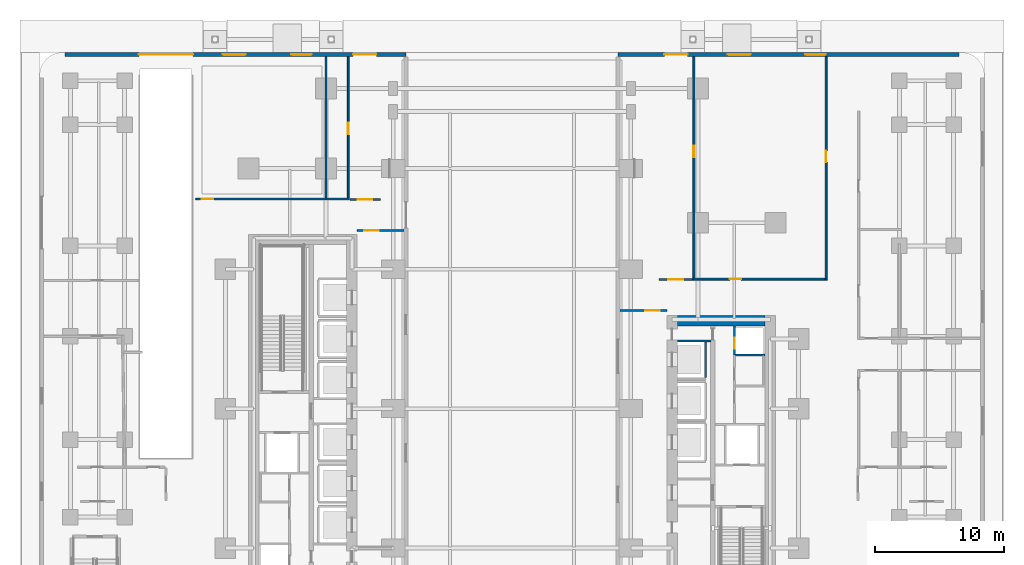
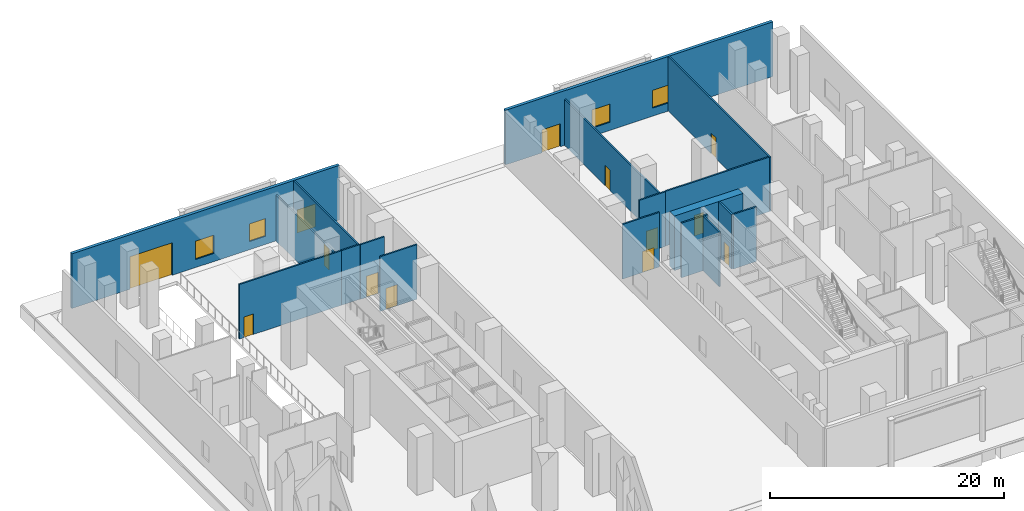
# One storey, part 12 of 22: 18 walls, 13 doors, 4 windows, 17 openings.
"""IFC4 building model written with IfcOpenShell, lengths in metres."""

from ifc_helpers import new_model, si_unit, direction, frame, frame_2d, origin, place, context, subcontext, project, spatial, rectangle, extrude, material, layer, layer_set, type_object, element, fill, save


model = new_model("IFC4")

# Units and contexts
model_context = context("Model", 3, precision=1e-05, world=origin(), true_north=direction((0.0, 1.0)))
body_context = subcontext(model_context, "Body", "Model", "MODEL_VIEW")
ifc_project = project(units=[si_unit("LENGTHUNIT", "METRE"), si_unit("AREAUNIT", "SQUARE_METRE"), si_unit("VOLUMEUNIT", "CUBIC_METRE"), si_unit("PLANEANGLEUNIT", "RADIAN"), si_unit("MASSUNIT", "GRAM", prefix="KILO")], contexts=[model_context])

# Site, building, storey
site_placement = place(None, origin())
site = spatial("IfcSite", under=ifc_project, at=site_placement, CompositionType="ELEMENT")
building_placement = place(site_placement, origin())
building = spatial("IfcBuilding", under=site, at=building_placement, Name="Khairoan Windgate Tower", CompositionType="ELEMENT")
storey_placement = place(building_placement, origin())
storey = spatial("IfcBuildingStorey", under=building, at=storey_placement, Name="L01", CompositionType="ELEMENT", Elevation=0.0)

# Walls
ifc_material_1 = material(Name="Concrete C40/50", Category="concrete")
ifc_layer_1 = layer(ifc_material_1, 0.159912109375, Name="Concrete C40/50")
ifc_layer_set_1 = layer_set([ifc_layer_1], Name="Concrete C40/50")
wall_type_1 = type_object("IfcWallType", Name="Core and Hoistway Enclosure Wall", PredefinedType="STANDARD", material=ifc_layer_set_1)
wall_1_placement = place(storey_placement, frame((14.989990234375, 2.39990234375, 0.0), z_axis=(0.0, 0.0, 1.0), x_axis=(0.0, 1.0, 0.0)))
element("IfcWall", 1, at=wall_1_placement, inside=storey, type_object=wall_type_1, Name="L01 Lift PL7 Hoistway Back Wall", PredefinedType="STANDARD", context=body_context, shape_type="SweptSolid", body=[
    extrude(rectangle(XDim=2.800048828125, YDim=0.159912109375, at=frame_2d((1.39990234375, 0.0))), origin(), (0.0, 0.0, 1.0), 5.699951171875),
])
wall_2_placement = place(storey_placement, frame((12.800048828125, 5.25, 0.0), z_axis=(0.0, 0.0, 1.0), x_axis=(1.0, 0.0, 0.0)))
element("IfcWall", 2, at=wall_2_placement, inside=storey, type_object=wall_type_1, Name="L01 Core Shaft Wall SW-ESV-L01", PredefinedType="STANDARD", context=body_context, shape_type="SweptSolid", body=[
    extrude(rectangle(XDim=2.599853515625, YDim=0.159912109375, at=frame_2d((1.2998046875, 0.0))), origin(), (0.0, 0.0, 1.0), 5.699951171875),
])

# Wall, openings, doors, windows
ifc_material_2 = material(Name="Precast Concrete C40/50", Category="concrete")
ifc_layer_2 = layer(ifc_material_2, 0.300048828125, Name="Precast Concrete C40/50")
ifc_layer_set_2 = layer_set([ifc_layer_2], Name="Precast Concrete C40/50")
wall_type_2 = type_object("IfcWallType", Name="Insulated Precast Spandrel Facade Wall EW1 300mm", PredefinedType="STANDARD", material=ifc_layer_set_2)
wall_3_placement = place(storey_placement, frame((-34.60009765625, 27.419921875, 0.0), z_axis=(0.0, 0.0, 1.0), x_axis=(1.0, 0.0, 0.0)))
wall_3 = element("IfcWall", 3, at=wall_3_placement, inside=storey, type_object=wall_type_2, Name="Ground Facade Wall EW-L01-WN", PredefinedType="STANDARD", context=body_context, shape_type="SweptSolid", body=[
    extrude(rectangle(XDim=26.400146484375, YDim=0.300048828125, at=frame_2d((13.2001953125, 0.0))), origin(), (0.0, 0.0, 1.0), 5.699951171875),
])
opening_1_placement = place(wall_3_placement, frame((22.300048828125, 0.0, 0.0)))
opening_1 = element("IfcOpeningElement", 4, at=opening_1_placement, cuts=wall_3, Name="Opening ED-06", PredefinedType="OPENING", context=body_context, shape_type="SweptSolid", body=[
    extrude(rectangle(XDim=1.800048828125, YDim=2.39990234375, at=frame_2d((0.89990234375, 1.199951171875))), frame((0.0, 0.159912109375, 0.0), z_axis=(0.0, -1.0, 0.0), x_axis=(1.0, 0.0, 0.0)), (0.0, 0.0, 1.0), 0.320068359375),
])
opening_2_placement = place(wall_3_placement, frame((5.699951171875, 0.0, 0.0)))
opening_2 = element("IfcOpeningElement", 5, at=opening_2_placement, cuts=wall_3, Name="Opening VG-01", PredefinedType="OPENING", context=body_context, shape_type="SweptSolid", body=[
    extrude(rectangle(XDim=4.199951171875, YDim=3.39990234375, at=frame_2d((2.10009765625, 1.699951171875))), frame((0.0, 0.159912109375, 0.0), z_axis=(0.0, -1.0, 0.0), x_axis=(1.0, 0.0, 0.0)), (0.0, 0.0, 1.0), 0.320068359375),
])
opening_3_placement = place(wall_3_placement, frame((12.199951171875, 0.0, 0.85009765625)))
opening_3 = element("IfcOpeningElement", 6, at=opening_3_placement, cuts=wall_3, Name="Opening WN-03", PredefinedType="OPENING", context=body_context, shape_type="SweptSolid", body=[
    extrude(rectangle(XDim=1.800048828125, YDim=1.89990234375, at=frame_2d((0.89990234375, 0.949951171875))), frame((0.0, 0.159912109375, 0.0), z_axis=(0.0, -1.0, 0.0), x_axis=(1.0, 0.0, 0.0)), (0.0, 0.0, 1.0), 0.320068359375),
])
opening_4_placement = place(wall_3_placement, frame((17.5, 0.0, 0.85009765625)))
opening_4 = element("IfcOpeningElement", 7, at=opening_4_placement, cuts=wall_3, Name="Opening WN-04", PredefinedType="OPENING", context=body_context, shape_type="SweptSolid", body=[
    extrude(rectangle(XDim=1.60009765625, YDim=1.85009765625, at=frame_2d((0.800048828125, 0.925048828125))), frame((0.0, 0.159912109375, 0.0), z_axis=(0.0, -1.0, 0.0), x_axis=(1.0, 0.0, 0.0)), (0.0, 0.0, 1.0), 0.320068359375),
])
ifc_material_3 = material(Name="Anodised Bronze Aluminium 6063-T6", Category="aluminium")
door_type_1 = type_object("IfcDoorType", Name="Double Riverfront Final Exit Door ED-1800", OperationType="DOUBLE_DOOR_SINGLE_SWING", PredefinedType="DOOR", material=ifc_material_3)
door_1_placement = place(opening_1_placement, origin())
door_1 = element("IfcDoor", 8, at=door_1_placement, inside=storey, type_object=door_type_1, Name="North-West Riverfront Final Exit Door ED-06", OperationType="DOUBLE_DOOR_SINGLE_SWING", OverallHeight=2.39990234375, OverallWidth=1.800048828125, PredefinedType="DOOR", context=body_context, shape_type="SweptSolid", body=[
    extrude(rectangle(XDim=1.800048828125, YDim=2.39990234375, at=frame_2d((0.89990234375, 1.199951171875))), frame((0.0, 0.02490234375, 0.0), z_axis=(0.0, -1.0, 0.0), x_axis=(1.0, 0.0, 0.0)), (0.0, 0.0, 1.0), 0.050048828125),
])
fill(opening_1, door_1)
ifc_material_4 = material(Name="Anodised Bronze Aluminium 6063-T6", Category="aluminium")
door_type_2 = type_object("IfcDoorType", Name="Vehicular Ramp Sliding Gate VG-01", OperationType="SLIDING_TO_LEFT", PredefinedType="GATE", material=ifc_material_4)
door_2_placement = place(opening_2_placement, origin())
door_2 = element("IfcDoor", 9, at=door_2_placement, inside=storey, type_object=door_type_2, Name="Car Park Ramp Street Gate VG-01", OperationType="SLIDING_TO_LEFT", OverallHeight=3.39990234375, OverallWidth=4.199951171875, PredefinedType="GATE", context=body_context, shape_type="SweptSolid", body=[
    extrude(rectangle(XDim=4.199951171875, YDim=3.39990234375, at=frame_2d((2.10009765625, 1.699951171875))), frame((0.0, 0.02490234375, 0.0), z_axis=(0.0, -1.0, 0.0), x_axis=(1.0, 0.0, 0.0)), (0.0, 0.0, 1.0), 0.050048828125),
])
fill(opening_2, door_2)
ifc_material_5 = material(Name="Low-E Solar Control Laminated Glass", Category="glass")
window_type_1 = type_object("IfcWindowType", Name="Window WN-03 1800x1900", PartitioningType="DOUBLE_PANEL_VERTICAL", PredefinedType="WINDOW", material=ifc_material_5)
window_1_placement = place(opening_3_placement, origin())
window_1 = element("IfcWindow", 10, at=window_1_placement, inside=storey, type_object=window_type_1, Name="L01 Facade Window 03", OverallHeight=1.89990234375, OverallWidth=1.800048828125, PartitioningType="SINGLE_PANEL", PredefinedType="WINDOW", context=body_context, shape_type="SweptSolid", body=[
    extrude(rectangle(XDim=1.800048828125, YDim=1.89990234375, at=frame_2d((0.89990234375, 0.949951171875))), frame((0.0, 0.030029296875, 0.0), z_axis=(0.0, -1.0, 0.0), x_axis=(1.0, 0.0, 0.0)), (0.0, 0.0, 1.0), 0.06005859375),
])
fill(opening_3, window_1)
ifc_material_6 = material(Name="Low-E Solar Control Laminated Glass", Category="glass")
window_type_2 = type_object("IfcWindowType", Name="Window WN-04 1600x1850", PartitioningType="SINGLE_PANEL", PredefinedType="WINDOW", material=ifc_material_6)
window_2_placement = place(opening_4_placement, origin())
window_2 = element("IfcWindow", 11, at=window_2_placement, inside=storey, type_object=window_type_2, Name="L01 Facade Window 04", OverallHeight=1.85009765625, OverallWidth=1.60009765625, PartitioningType="SINGLE_PANEL", PredefinedType="WINDOW", context=body_context, shape_type="SweptSolid", body=[
    extrude(rectangle(XDim=1.60009765625, YDim=1.85009765625, at=frame_2d((0.800048828125, 0.925048828125))), frame((0.0, 0.030029296875, 0.0), z_axis=(0.0, -1.0, 0.0), x_axis=(1.0, 0.0, 0.0)), (0.0, 0.0, 1.0), 0.06005859375),
])
fill(opening_4, window_2)

# Wall, openings, door, windows
wall_4_placement = place(storey_placement, frame((8.199951171875, 27.419921875, 0.0), z_axis=(0.0, 0.0, 1.0), x_axis=(1.0, 0.0, 0.0)))
wall_4 = element("IfcWall", 12, at=wall_4_placement, inside=storey, type_object=wall_type_2, Name="Ground Facade Wall EW-L01-EN", PredefinedType="STANDARD", context=body_context, shape_type="SweptSolid", body=[
    extrude(rectangle(XDim=26.400146484375, YDim=0.300048828125, at=frame_2d((13.2001953125, 0.0))), origin(), (0.0, 0.0, 1.0), 5.699951171875),
])
opening_5_placement = place(wall_4_placement, frame((3.60009765625, 0.0, 0.0)))
opening_5 = element("IfcOpeningElement", 13, at=opening_5_placement, cuts=wall_4, Name="Opening ED-05", PredefinedType="OPENING", context=body_context, shape_type="SweptSolid", body=[
    extrude(rectangle(XDim=1.800048828125, YDim=2.39990234375, at=frame_2d((0.89990234375, 1.199951171875))), frame((0.0, 0.159912109375, 0.0), z_axis=(0.0, -1.0, 0.0), x_axis=(1.0, 0.0, 0.0)), (0.0, 0.0, 1.0), 0.320068359375),
])
opening_6_placement = place(wall_4_placement, frame((8.5, 0.0, 0.85009765625)))
opening_6 = element("IfcOpeningElement", 14, at=opening_6_placement, cuts=wall_4, Name="Opening WN-03", PredefinedType="OPENING", context=body_context, shape_type="SweptSolid", body=[
    extrude(rectangle(XDim=1.800048828125, YDim=1.89990234375, at=frame_2d((0.89990234375, 0.949951171875))), frame((0.0, 0.159912109375, 0.0), z_axis=(0.0, -1.0, 0.0), x_axis=(1.0, 0.0, 0.0)), (0.0, 0.0, 1.0), 0.320068359375),
])
opening_7_placement = place(wall_4_placement, frame((14.5, 0.0, 0.85009765625)))
opening_7 = element("IfcOpeningElement", 15, at=opening_7_placement, cuts=wall_4, Name="Opening WN-04", PredefinedType="OPENING", context=body_context, shape_type="SweptSolid", body=[
    extrude(rectangle(XDim=1.60009765625, YDim=1.85009765625, at=frame_2d((0.800048828125, 0.925048828125))), frame((0.0, 0.159912109375, 0.0), z_axis=(0.0, -1.0, 0.0), x_axis=(1.0, 0.0, 0.0)), (0.0, 0.0, 1.0), 0.320068359375),
])
door_3_placement = place(opening_5_placement, origin())
door_3 = element("IfcDoor", 16, at=door_3_placement, inside=storey, type_object=door_type_1, Name="North-East Riverfront Final Exit Door ED-05", OperationType="DOUBLE_DOOR_SINGLE_SWING", OverallHeight=2.39990234375, OverallWidth=1.800048828125, PredefinedType="DOOR", context=body_context, shape_type="SweptSolid", body=[
    extrude(rectangle(XDim=1.800048828125, YDim=2.39990234375, at=frame_2d((0.89990234375, 1.199951171875))), frame((0.0, 0.02490234375, 0.0), z_axis=(0.0, -1.0, 0.0), x_axis=(1.0, 0.0, 0.0)), (0.0, 0.0, 1.0), 0.050048828125),
])
fill(opening_5, door_3)
window_3_placement = place(opening_6_placement, origin())
window_3 = element("IfcWindow", 17, at=window_3_placement, inside=storey, type_object=window_type_1, Name="L01 Facade Window 11", OverallHeight=1.89990234375, OverallWidth=1.800048828125, PartitioningType="SINGLE_PANEL", PredefinedType="WINDOW", context=body_context, shape_type="SweptSolid", body=[
    extrude(rectangle(XDim=1.800048828125, YDim=1.89990234375, at=frame_2d((0.89990234375, 0.949951171875))), frame((0.0, 0.030029296875, 0.0), z_axis=(0.0, -1.0, 0.0), x_axis=(1.0, 0.0, 0.0)), (0.0, 0.0, 1.0), 0.06005859375),
])
fill(opening_6, window_3)
window_4_placement = place(opening_7_placement, origin())
window_4 = element("IfcWindow", 18, at=window_4_placement, inside=storey, type_object=window_type_2, Name="L01 Facade Window 12", OverallHeight=1.85009765625, OverallWidth=1.60009765625, PartitioningType="SINGLE_PANEL", PredefinedType="WINDOW", context=body_context, shape_type="SweptSolid", body=[
    extrude(rectangle(XDim=1.60009765625, YDim=1.85009765625, at=frame_2d((0.800048828125, 0.925048828125))), frame((0.0, 0.030029296875, 0.0), z_axis=(0.0, -1.0, 0.0), x_axis=(1.0, 0.0, 0.0)), (0.0, 0.0, 1.0), 0.06005859375),
])
fill(opening_7, window_4)

# Wall
ifc_material_7 = material(Name="Acoustic Fire-Rated Gypsum Partition", Category="gypsum")
ifc_layer_3 = layer(ifc_material_7, 0.139892578125, Name="Acoustic Fire-Rated Gypsum Partition")
ifc_layer_set_3 = layer_set([ifc_layer_3], Name="Acoustic Fire-Rated Gypsum Partition")
wall_type_3 = type_object("IfcWallType", Name="Inter-Tenancy Compartment Wall", PredefinedType="PARTITIONING", material=ifc_layer_set_3)
wall_5_placement = place(storey_placement, frame((-14.39990234375, 16.31494140625, 0.0), z_axis=(0.0, 0.0, 1.0), x_axis=(0.0, 1.0, 0.0)))
element("IfcWall", 19, at=wall_5_placement, inside=storey, type_object=wall_type_3, Name="L01 Interior Partition 023", PredefinedType="PARTITIONING", context=body_context, shape_type="SweptSolid", body=[
    extrude(rectangle(XDim=10.955078125, YDim=0.139892578125, at=frame_2d((5.4775390625, 0.0))), origin(), (0.0, 0.0, 1.0), 4.800048828125),
])

# Wall, opening, door
ifc_material_8 = material(Name="Concrete C40/50", Category="concrete")
ifc_layer_4 = layer(ifc_material_8, 0.159912109375, Name="Concrete C40/50")
ifc_layer_set_4 = layer_set([ifc_layer_4], Name="Concrete C40/50")
wall_type_4 = type_object("IfcWallType", Name="Plant and Refuge Compartment Wall", PredefinedType="PARTITIONING", material=ifc_layer_set_4)
wall_6_placement = place(storey_placement, frame((17.22998046875, 4.169921875, 0.0), z_axis=(0.0, 0.0, 1.0), x_axis=(0.0, 1.0, 0.0)))
wall_6 = element("IfcWall", 20, at=wall_6_placement, inside=storey, type_object=wall_type_4, Name="L01 Interior Partition 006", PredefinedType="PARTITIONING", context=body_context, shape_type="SweptSolid", body=[
    extrude(rectangle(XDim=2.22998046875, YDim=0.159912109375, at=frame_2d((1.114990234375, 0.0))), origin(), (0.0, 0.0, 1.0), 5.699951171875),
])
opening_8_placement = place(wall_6_placement, frame((0.4599609375, 0.0, 0.0)))
opening_8 = element("IfcOpeningElement", 21, at=opening_8_placement, cuts=wall_6, Name="Opening FD-SRV", PredefinedType="OPENING", context=body_context, shape_type="SweptSolid", body=[
    extrude(rectangle(XDim=0.85009765625, YDim=2.10009765625, at=frame_2d((0.425048828125, 1.050048828125))), frame((0.0, 0.08984375, 0.0), z_axis=(0.0, -1.0, 0.0), x_axis=(1.0, 0.0, 0.0)), (0.0, 0.0, 1.0), 0.179931640625),
])
ifc_material_9 = material(Name="Steel S355", Category="steel")
door_type_3 = type_object("IfcDoorType", Name="Core Service and Riser Fire Door FD-SRV 850x2100", OperationType="NOTDEFINED", PredefinedType="DOOR", material=ifc_material_9)
door_4_placement = place(opening_8_placement, origin())
door_4 = element("IfcDoor", 22, at=door_4_placement, inside=storey, type_object=door_type_3, Name="L01 L01-21-L01-22 Door", OperationType="SINGLE_SWING_LEFT", OverallHeight=2.10009765625, OverallWidth=0.85009765625, PredefinedType="DOOR", context=body_context, shape_type="SweptSolid", body=[
    extrude(rectangle(XDim=0.85009765625, YDim=2.10009765625, at=frame_2d((0.425048828125, 1.050048828125))), frame((0.0, 0.02490234375, 0.0), z_axis=(0.0, -1.0, 0.0), x_axis=(1.0, 0.0, 0.0)), (0.0, 0.0, 1.0), 0.050048828125),
])
fill(opening_8, door_4)

# Wall
wall_7_placement = place(storey_placement, frame((17.31005859375, 4.169921875, 0.0), z_axis=(0.0, 0.0, 1.0), x_axis=(1.0, 0.0, 0.0)))
element("IfcWall", 23, at=wall_7_placement, inside=storey, type_object=wall_type_4, Name="L01 Interior Partition 009", PredefinedType="PARTITIONING", context=body_context, shape_type="SweptSolid", body=[
    extrude(rectangle(XDim=2.2900390625, YDim=0.159912109375, at=frame_2d((1.14501953125, 0.0))), origin(), (0.0, 0.0, 1.0), 5.699951171875),
])

# Wall, opening, door
ifc_material_10 = material(Name="Acoustic Fire-Rated Gypsum Partition", Category="gypsum")
ifc_layer_5 = layer(ifc_material_10, 0.14990234375, Name="Acoustic Fire-Rated Gypsum Partition")
ifc_layer_set_5 = layer_set([ifc_layer_5], Name="Acoustic Fire-Rated Gypsum Partition")
wall_type_5 = type_object("IfcWallType", Name="Rated Corridor Partition Wall", PredefinedType="PARTITIONING", material=ifc_layer_set_5)
wall_8_placement = place(storey_placement, frame((-12.0, 13.800048828125, 0.0), z_axis=(0.0, 0.0, 1.0), x_axis=(1.0, 0.0, 0.0)))
wall_8 = element("IfcWall", 24, at=wall_8_placement, inside=storey, type_object=wall_type_5, Name="L01 Protected Exit Wall PW-EX-W1-L01", PredefinedType="PARTITIONING", context=body_context, shape_type="SweptSolid", body=[
    extrude(rectangle(XDim=3.64990234375, YDim=0.14990234375, at=frame_2d((1.824951171875, 0.0))), origin(), (0.0, 0.0, 1.0), 5.699951171875),
])
opening_9_placement = place(wall_8_placement, frame((0.550048828125, 0.0, 0.0)))
opening_9 = element("IfcOpeningElement", 25, at=opening_9_placement, cuts=wall_8, Name="Opening FD-FFL", PredefinedType="OPENING", context=body_context, shape_type="SweptSolid", body=[
    extrude(rectangle(XDim=1.14990234375, YDim=2.199951171875, at=frame_2d((0.574951171875, 1.10009765625))), frame((0.0, 0.0849609375, 0.0), z_axis=(0.0, -1.0, 0.0), x_axis=(1.0, 0.0, 0.0)), (0.0, 0.0, 1.0), 0.169921875),
])
ifc_material_11 = material(Name="Steel S355", Category="steel")
door_type_4 = type_object("IfcDoorType", Name="Firefighting Lobby Fire Door FD-FFL 1150x2200", OperationType="NOTDEFINED", PredefinedType="DOOR", material=ifc_material_11)
door_5_placement = place(opening_9_placement, origin())
door_5 = element("IfcDoor", 26, at=door_5_placement, inside=storey, type_object=door_type_4, Name="L01 West Core North Exit Fire Door", OperationType="SINGLE_SWING_RIGHT", OverallHeight=2.199951171875, OverallWidth=1.14990234375, PredefinedType="DOOR", context=body_context, shape_type="SweptSolid", body=[
    extrude(rectangle(XDim=1.14990234375, YDim=2.199951171875, at=frame_2d((0.574951171875, 1.10009765625))), frame((0.0, 0.02490234375, 0.0), z_axis=(0.0, -1.0, 0.0), x_axis=(1.0, 0.0, 0.0)), (0.0, 0.0, 1.0), 0.050048828125),
])
fill(opening_9, door_5)

wall_9_placement = place(storey_placement, frame((-12.56005859375, 16.199951171875, 0.0), z_axis=(0.0, 0.0, 1.0), x_axis=(1.0, 0.0, 0.0)))
wall_9 = element("IfcWall", 27, at=wall_9_placement, inside=storey, type_object=wall_type_5, Name="L01 Protected Exit Wall PW-EX-W2-L01", PredefinedType="PARTITIONING", context=body_context, shape_type="SweptSolid", body=[
    extrude(rectangle(XDim=2.360107421875, YDim=0.14990234375, at=frame_2d((1.18017578125, 0.0))), origin(), (0.0, 0.0, 1.0), 5.699951171875),
])
opening_10_placement = place(wall_9_placement, frame((0.60498046875, 0.0, 0.0)))
opening_10 = element("IfcOpeningElement", 28, at=opening_10_placement, cuts=wall_9, Name="Opening FD-FFL", PredefinedType="OPENING", context=body_context, shape_type="SweptSolid", body=[
    extrude(rectangle(XDim=1.14990234375, YDim=2.199951171875, at=frame_2d((0.574951171875, 1.10009765625))), frame((0.0, 0.0849609375, 0.0), z_axis=(0.0, -1.0, 0.0), x_axis=(1.0, 0.0, 0.0)), (0.0, 0.0, 1.0), 0.169921875),
])
door_6_placement = place(opening_10_placement, origin())
door_6 = element("IfcDoor", 29, at=door_6_placement, inside=storey, type_object=door_type_4, Name="L01 West Riverfront Passage Fire Door", OperationType="SINGLE_SWING_LEFT", OverallHeight=2.199951171875, OverallWidth=1.14990234375, PredefinedType="DOOR", context=body_context, shape_type="SweptSolid", body=[
    extrude(rectangle(XDim=1.14990234375, YDim=2.199951171875, at=frame_2d((0.574951171875, 1.10009765625))), frame((0.0, 0.02490234375, 0.0), z_axis=(0.0, -1.0, 0.0), x_axis=(1.0, 0.0, 0.0)), (0.0, 0.0, 1.0), 0.050048828125),
])
fill(opening_10, door_6)

wall_10_placement = place(storey_placement, frame((8.35009765625, 7.60009765625, 0.0), z_axis=(0.0, 0.0, 1.0), x_axis=(1.0, 0.0, 0.0)))
wall_10 = element("IfcWall", 30, at=wall_10_placement, inside=storey, type_object=wall_type_5, Name="L01 Protected Exit Wall PW-EX-E1-L01", PredefinedType="PARTITIONING", context=body_context, shape_type="SweptSolid", body=[
    extrude(rectangle(XDim=3.64990234375, YDim=0.14990234375, at=frame_2d((1.824951171875, 0.0))), origin(), (0.0, 0.0, 1.0), 5.699951171875),
])
opening_11_placement = place(wall_10_placement, frame((1.949951171875, 0.0, 0.0)))
opening_11 = element("IfcOpeningElement", 31, at=opening_11_placement, cuts=wall_10, Name="Opening FD-FFL", PredefinedType="OPENING", context=body_context, shape_type="SweptSolid", body=[
    extrude(rectangle(XDim=1.14990234375, YDim=2.199951171875, at=frame_2d((0.574951171875, 1.10009765625))), frame((0.0, 0.0849609375, 0.0), z_axis=(0.0, -1.0, 0.0), x_axis=(1.0, 0.0, 0.0)), (0.0, 0.0, 1.0), 0.169921875),
])
door_7_placement = place(opening_11_placement, origin())
door_7 = element("IfcDoor", 32, at=door_7_placement, inside=storey, type_object=door_type_4, Name="L01 East Core North Exit Fire Door", OperationType="SINGLE_SWING_RIGHT", OverallHeight=2.199951171875, OverallWidth=1.14990234375, PredefinedType="DOOR", context=body_context, shape_type="SweptSolid", body=[
    extrude(rectangle(XDim=1.14990234375, YDim=2.199951171875, at=frame_2d((0.574951171875, 1.10009765625))), frame((0.0, 0.02490234375, 0.0), z_axis=(0.0, -1.0, 0.0), x_axis=(1.0, 0.0, 0.0)), (0.0, 0.0, 1.0), 0.050048828125),
])
fill(opening_11, door_7)

wall_11_placement = place(storey_placement, frame((11.39990234375, 10.0, 0.0), z_axis=(0.0, 0.0, 1.0), x_axis=(1.0, 0.0, 0.0)))
wall_11 = element("IfcWall", 33, at=wall_11_placement, inside=storey, type_object=wall_type_5, Name="L01 Protected Exit Wall PW-EX-E2-L01", PredefinedType="PARTITIONING", context=body_context, shape_type="SweptSolid", body=[
    extrude(rectangle(XDim=2.56005859375, YDim=0.14990234375, at=frame_2d((1.280029296875, 0.0))), origin(), (0.0, 0.0, 1.0), 5.699951171875),
])
opening_12_placement = place(wall_11_placement, frame((0.705078125, 0.0, 0.0)))
opening_12 = element("IfcOpeningElement", 34, at=opening_12_placement, cuts=wall_11, Name="Opening FD-FFL", PredefinedType="OPENING", context=body_context, shape_type="SweptSolid", body=[
    extrude(rectangle(XDim=1.14990234375, YDim=2.199951171875, at=frame_2d((0.574951171875, 1.10009765625))), frame((0.0, 0.0849609375, 0.0), z_axis=(0.0, -1.0, 0.0), x_axis=(1.0, 0.0, 0.0)), (0.0, 0.0, 1.0), 0.169921875),
])
door_8_placement = place(opening_12_placement, origin())
door_8 = element("IfcDoor", 35, at=door_8_placement, inside=storey, type_object=door_type_4, Name="L01 East Riverfront Passage Fire Door", OperationType="SINGLE_SWING_LEFT", OverallHeight=2.199951171875, OverallWidth=1.14990234375, PredefinedType="DOOR", context=body_context, shape_type="SweptSolid", body=[
    extrude(rectangle(XDim=1.14990234375, YDim=2.199951171875, at=frame_2d((0.574951171875, 1.10009765625))), frame((0.0, 0.02490234375, 0.0), z_axis=(0.0, -1.0, 0.0), x_axis=(1.0, 0.0, 0.0)), (0.0, 0.0, 1.0), 0.050048828125),
])
fill(opening_12, door_8)

wall_12_placement = place(storey_placement, frame((-24.47998046875, 16.239990234375, 0.0), z_axis=(0.0, 0.0, 1.0), x_axis=(1.0, 0.0, 0.0)))
wall_12 = element("IfcWall", 36, at=wall_12_placement, inside=storey, type_object=wall_type_5, Name="L01 Interior Partition 019", PredefinedType="PARTITIONING", context=body_context, shape_type="SweptSolid", body=[
    extrude(rectangle(XDim=10.080078125, YDim=0.14990234375, at=frame_2d((5.0400390625, 0.0))), origin(), (0.0, 0.0, 1.0), 5.699951171875),
])
opening_13_placement = place(wall_12_placement, frame((0.4599609375, 0.0, 0.0)))
opening_13 = element("IfcOpeningElement", 37, at=opening_13_placement, cuts=wall_12, Name="Opening FD-ENT", PredefinedType="OPENING", context=body_context, shape_type="SweptSolid", body=[
    extrude(rectangle(XDim=0.89990234375, YDim=2.14990234375, at=frame_2d((0.449951171875, 1.074951171875))), frame((0.0, 0.0849609375, 0.0), z_axis=(0.0, -1.0, 0.0), x_axis=(1.0, 0.0, 0.0)), (0.0, 0.0, 1.0), 0.169921875),
])
ifc_material_12 = material(Name="Timber Fire-Rated Core", Category="wood")
door_type_5 = type_object("IfcDoorType", Name="Unit and Office Fire Entrance Door FD-ENT 900x2150", OperationType="NOTDEFINED", PredefinedType="DOOR", material=ifc_material_12)
door_9_placement = place(opening_13_placement, origin())
door_9 = element("IfcDoor", 38, at=door_9_placement, inside=storey, type_object=door_type_5, Name="L01 L01-39-L01-42 Door", OperationType="SINGLE_SWING_RIGHT", OverallHeight=2.14990234375, OverallWidth=0.89990234375, PredefinedType="DOOR", context=body_context, shape_type="SweptSolid", body=[
    extrude(rectangle(XDim=0.89990234375, YDim=2.14990234375, at=frame_2d((0.449951171875, 1.074951171875))), frame((0.0, 0.02490234375, 0.0), z_axis=(0.0, -1.0, 0.0), x_axis=(1.0, 0.0, 0.0)), (0.0, 0.0, 1.0), 0.050048828125),
])
fill(opening_13, door_9)

# Wall
wall_13_placement = place(storey_placement, frame((-14.39990234375, 16.239990234375, 0.0), z_axis=(0.0, 0.0, 1.0), x_axis=(1.0, 0.0, 0.0)))
element("IfcWall", 39, at=wall_13_placement, inside=storey, type_object=wall_type_5, Name="L01 Interior Partition 020", PredefinedType="PARTITIONING", context=body_context, shape_type="SweptSolid", body=[
    extrude(rectangle(XDim=1.794921875, YDim=0.14990234375, at=frame_2d((0.8974609375, 0.0))), origin(), (0.0, 0.0, 1.0), 5.699951171875),
])

# Wall, opening, door
wall_14_placement = place(storey_placement, frame((-12.679931640625, 16.31494140625, 0.0), z_axis=(0.0, 0.0, 1.0), x_axis=(0.0, 1.0, 0.0)))
wall_14 = element("IfcWall", 40, at=wall_14_placement, inside=storey, type_object=wall_type_5, Name="L01 Interior Partition 021", PredefinedType="PARTITIONING", context=body_context, shape_type="SweptSolid", body=[
    extrude(rectangle(XDim=10.955078125, YDim=0.14990234375, at=frame_2d((5.4775390625, 0.0))), origin(), (0.0, 0.0, 1.0), 5.699951171875),
])
opening_14_placement = place(wall_14_placement, frame((4.926025390625, 0.0, 0.0)))
opening_14 = element("IfcOpeningElement", 41, at=opening_14_placement, cuts=wall_14, Name="Opening FD-ENT", PredefinedType="OPENING", context=body_context, shape_type="SweptSolid", body=[
    extrude(rectangle(XDim=0.89990234375, YDim=2.14990234375, at=frame_2d((0.449951171875, 1.074951171875))), frame((0.0, 0.0849609375, 0.0), z_axis=(0.0, -1.0, 0.0), x_axis=(1.0, 0.0, 0.0)), (0.0, 0.0, 1.0), 0.169921875),
])
door_10_placement = place(opening_14_placement, origin())
door_10 = element("IfcDoor", 42, at=door_10_placement, inside=storey, type_object=door_type_5, Name="L01 L01-40-L01-43 Door", OperationType="SINGLE_SWING_RIGHT", OverallHeight=2.14990234375, OverallWidth=0.89990234375, PredefinedType="DOOR", context=body_context, shape_type="SweptSolid", body=[
    extrude(rectangle(XDim=0.89990234375, YDim=2.14990234375, at=frame_2d((0.449951171875, 1.074951171875))), frame((0.0, 0.02490234375, 0.0), z_axis=(0.0, -1.0, 0.0), x_axis=(1.0, 0.0, 0.0)), (0.0, 0.0, 1.0), 0.050048828125),
])
fill(opening_14, door_10)

wall_15_placement = place(storey_placement, frame((24.320068359375, 9.965087890625, 0.0), z_axis=(0.0, 0.0, 1.0), x_axis=(0.0, 1.0, 0.0)))
wall_15 = element("IfcWall", 43, at=wall_15_placement, inside=storey, type_object=wall_type_5, Name="L01 Interior Partition 029", PredefinedType="PARTITIONING", context=body_context, shape_type="SweptSolid", body=[
    extrude(rectangle(XDim=17.304931640625, YDim=0.14990234375, at=frame_2d((8.65234375, 0.0))), origin(), (0.0, 0.0, 1.0), 5.699951171875),
])
opening_15_placement = place(wall_15_placement, frame((9.107421875, 0.0, 0.0)))
opening_15 = element("IfcOpeningElement", 44, at=opening_15_placement, cuts=wall_15, Name="Opening FD-ENT", PredefinedType="OPENING", context=body_context, shape_type="SweptSolid", body=[
    extrude(rectangle(XDim=0.89990234375, YDim=2.14990234375, at=frame_2d((0.449951171875, 1.074951171875))), frame((0.0, 0.0849609375, 0.0), z_axis=(0.0, -1.0, 0.0), x_axis=(1.0, 0.0, 0.0)), (0.0, 0.0, 1.0), 0.169921875),
])
door_11_placement = place(opening_15_placement, origin())
door_11 = element("IfcDoor", 45, at=door_11_placement, inside=storey, type_object=door_type_5, Name="L01 L01-50-L01-64 Door", OperationType="SINGLE_SWING_RIGHT", OverallHeight=2.14990234375, OverallWidth=0.89990234375, PredefinedType="DOOR", context=body_context, shape_type="SweptSolid", body=[
    extrude(rectangle(XDim=0.89990234375, YDim=2.14990234375, at=frame_2d((0.449951171875, 1.074951171875))), frame((0.0, 0.02490234375, 0.0), z_axis=(0.0, -1.0, 0.0), x_axis=(1.0, 0.0, 0.0)), (0.0, 0.0, 1.0), 0.050048828125),
])
fill(opening_15, door_11)

wall_16_placement = place(storey_placement, frame((14.0048828125, 10.0400390625, 0.0), z_axis=(0.0, 0.0, 1.0), x_axis=(1.0, 0.0, 0.0)))
wall_16 = element("IfcWall", 46, at=wall_16_placement, inside=storey, type_object=wall_type_5, Name="L01 Interior Partition 042", PredefinedType="PARTITIONING", context=body_context, shape_type="SweptSolid", body=[
    extrude(rectangle(XDim=10.240234375, YDim=0.14990234375, at=frame_2d((5.1201171875, 0.0))), origin(), (0.0, 0.0, 1.0), 5.699951171875),
])
opening_16_placement = place(wall_16_placement, frame((2.86572265625, 0.0, 0.0)))
opening_16 = element("IfcOpeningElement", 47, at=opening_16_placement, cuts=wall_16, Name="Opening FD-ENT", PredefinedType="OPENING", context=body_context, shape_type="SweptSolid", body=[
    extrude(rectangle(XDim=0.89990234375, YDim=2.14990234375, at=frame_2d((0.449951171875, 1.074951171875))), frame((0.0, 0.0849609375, 0.0), z_axis=(0.0, -1.0, 0.0), x_axis=(1.0, 0.0, 0.0)), (0.0, 0.0, 1.0), 0.169921875),
])
door_12_placement = place(opening_16_placement, origin())
door_12 = element("IfcDoor", 48, at=door_12_placement, inside=storey, type_object=door_type_5, Name="L01 L01-57-L01-64 Door", OperationType="SINGLE_SWING_LEFT", OverallHeight=2.14990234375, OverallWidth=0.89990234375, PredefinedType="DOOR", context=body_context, shape_type="SweptSolid", body=[
    extrude(rectangle(XDim=0.89990234375, YDim=2.14990234375, at=frame_2d((0.449951171875, 1.074951171875))), frame((0.0, 0.02490234375, 0.0), z_axis=(0.0, -1.0, 0.0), x_axis=(1.0, 0.0, 0.0)), (0.0, 0.0, 1.0), 0.050048828125),
])
fill(opening_16, door_12)

wall_17_placement = place(storey_placement, frame((14.080078125, 10.114990234375, 0.0), z_axis=(0.0, 0.0, 1.0), x_axis=(0.0, 1.0, 0.0)))
wall_17 = element("IfcWall", 49, at=wall_17_placement, inside=storey, type_object=wall_type_5, Name="L01 Interior Partition 043", PredefinedType="PARTITIONING", context=body_context, shape_type="SweptSolid", body=[
    extrude(rectangle(XDim=17.155029296875, YDim=0.14990234375, at=frame_2d((8.57763671875, 0.0))), origin(), (0.0, 0.0, 1.0), 4.800048828125),
])
opening_17_placement = place(wall_17_placement, frame((9.338134765625, 0.0, 0.0)))
opening_17 = element("IfcOpeningElement", 50, at=opening_17_placement, cuts=wall_17, Name="Opening FD-ENT", PredefinedType="OPENING", context=body_context, shape_type="SweptSolid", body=[
    extrude(rectangle(XDim=0.89990234375, YDim=2.14990234375, at=frame_2d((0.449951171875, 1.074951171875))), frame((0.0, 0.0849609375, 0.0), z_axis=(0.0, -1.0, 0.0), x_axis=(1.0, 0.0, 0.0)), (0.0, 0.0, 1.0), 0.169921875),
])
door_13_placement = place(opening_17_placement, origin())
door_13 = element("IfcDoor", 51, at=door_13_placement, inside=storey, type_object=door_type_5, Name="L01 L01-58-L01-64 Door", OperationType="SINGLE_SWING_RIGHT", OverallHeight=2.14990234375, OverallWidth=0.89990234375, PredefinedType="DOOR", context=body_context, shape_type="SweptSolid", body=[
    extrude(rectangle(XDim=0.89990234375, YDim=2.14990234375, at=frame_2d((0.449951171875, 1.074951171875))), frame((0.0, 0.02490234375, 0.0), z_axis=(0.0, -1.0, 0.0), x_axis=(1.0, 0.0, 0.0)), (0.0, 0.0, 1.0), 0.050048828125),
])
fill(opening_17, door_13)

# Wall
ifc_material_13 = material(Name="Concrete C70/85", Category="concrete")
ifc_layer_6 = layer(ifc_material_13, 0.800048828125, Name="Concrete C70/85")
ifc_layer_set_6 = layer_set([ifc_layer_6], Name="Concrete C70/85")
wall_type_6 = type_object("IfcWallType", Name="Shear Wall CW-E1 800mm", PredefinedType="SHEAR", material=ifc_layer_set_6)
wall_18_placement = place(storey_placement, frame((12.800048828125, 6.800048828125, 0.0), z_axis=(0.0, 0.0, 1.0), x_axis=(1.0, 0.0, 0.0)))
element("IfcWall", 52, at=wall_18_placement, inside=storey, type_object=wall_type_6, Name="E Core North Shear Wall L01", PredefinedType="SHEAR", context=body_context, shape_type="SweptSolid", body=[
    extrude(rectangle(XDim=6.800048828125, YDim=0.800048828125, at=frame_2d((3.39990234375, 0.0))), origin(), (0.0, 0.0, 1.0), 5.699951171875),
])

save(model, "model.ifc")
